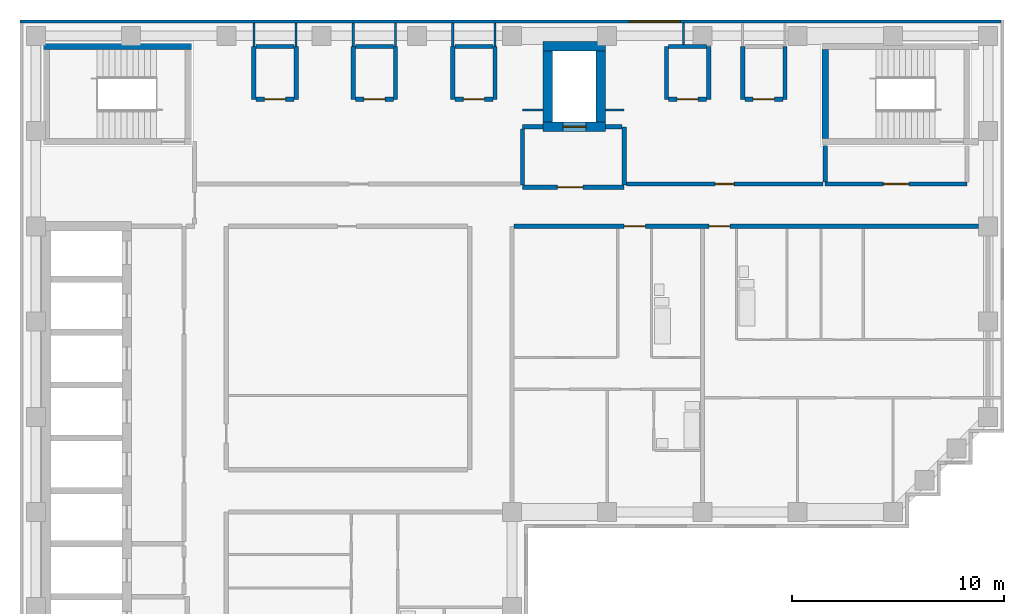
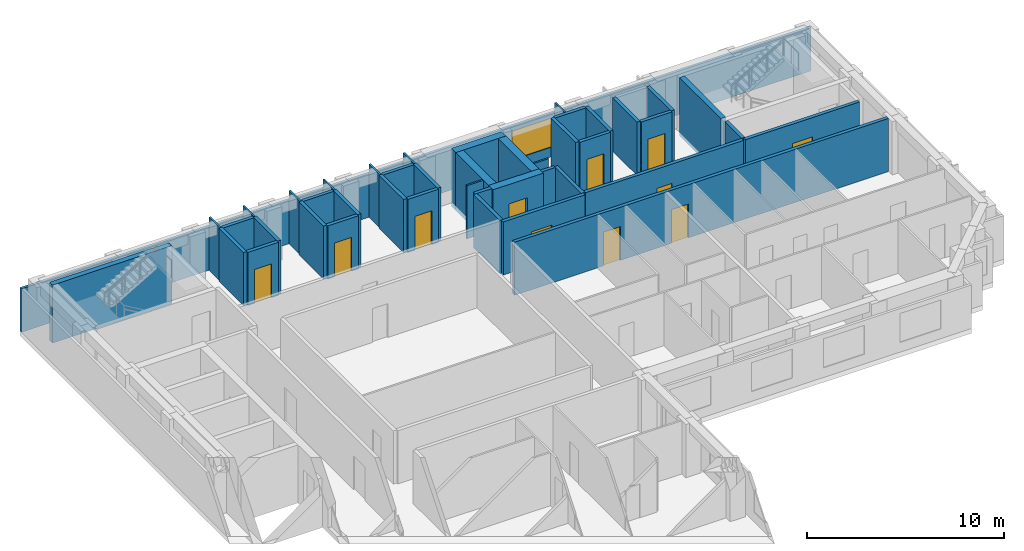
# One storey, part 5 of 8: 44 walls, 11 doors, 1 window, 12 openings.
"""IFC4 building model written with IfcOpenShell, lengths in metres."""

from ifc_helpers import new_model, si_unit, direction, frame, frame_2d, origin, place, context, subcontext, project, spatial, rectangle, extrude, material, layer, layer_set, type_object, element, fill, save


model = new_model("IFC4")

# Units and contexts
model_context = context("Model", 3, precision=1e-05, world=origin(), true_north=direction((0.0, 1.0)))
body_context = subcontext(model_context, "Body", "Model", "MODEL_VIEW")
ifc_project = project(units=[si_unit("LENGTHUNIT", "METRE"), si_unit("AREAUNIT", "SQUARE_METRE"), si_unit("VOLUMEUNIT", "CUBIC_METRE"), si_unit("PLANEANGLEUNIT", "RADIAN"), si_unit("MASSUNIT", "GRAM", prefix="KILO")], contexts=[model_context])

# Site, building, storey
site_placement = place(None, origin())
site = spatial("IfcSite", under=ifc_project, at=site_placement, CompositionType="ELEMENT")
building_placement = place(site_placement, origin())
building = spatial("IfcBuilding", under=site, at=building_placement, Name="Firuza Court", CompositionType="ELEMENT")
storey_placement = place(building_placement, frame((0.0, 0.0, 236.60009765625)))
storey = spatial("IfcBuildingStorey", under=building, at=storey_placement, Name="L61", CompositionType="ELEMENT", Elevation=236.60009765625)

# Walls
ifc_material_1 = material(Name="Concrete C50/60", Category="concrete")
ifc_layer_1 = layer(ifc_material_1, 0.300048828125)
ifc_layer_set_1 = layer_set([ifc_layer_1], Name="Concrete C50/60")
wall_type_1 = type_object("IfcWallType", Name="Core wall 300 C50/60", PredefinedType="SHEAR", material=ifc_layer_set_1)
wall_1_placement = place(storey_placement, frame((0.35009765625, 58.0, -0.300048828125), z_axis=(0.0, 0.0, 1.0), x_axis=(1.0, 0.0, 0.0)))
element("IfcWall", 1, at=wall_1_placement, inside=storey, type_object=wall_type_1, Name="Core wall stair L61", PredefinedType="SHEAR", context=body_context, shape_type="SweptSolid", body=[
    extrude(rectangle(XDim=7.0, YDim=0.300048828125, at=frame_2d((3.5, 0.0))), origin(), (0.0, 0.0, 1.0), 3.599853515625),
])
wall_2_placement = place(storey_placement, frame((37.300048828125, 53.64990234375, -0.300048828125), z_axis=(0.0, 0.0, 1.0), x_axis=(0.0, 1.0, 0.0)))
element("IfcWall", 2, at=wall_2_placement, inside=storey, type_object=wall_type_1, Name="Core wall stair L61", PredefinedType="SHEAR", context=body_context, shape_type="SweptSolid", body=[
    extrude(rectangle(XDim=4.2001953125, YDim=0.300048828125, at=frame_2d((2.10009765625, 0.0))), origin(), (0.0, 0.0, 1.0), 3.599853515625),
])

# Wall, opening, door
ifc_layer_2 = layer(ifc_material_1, 0.449951171875)
ifc_layer_set_2 = layer_set([ifc_layer_2], Name="Concrete C50/60")
wall_type_2 = type_object("IfcWallType", Name="Core wall 450 C50/60", PredefinedType="SHEAR", material=ifc_layer_set_2)
wall_3_placement = place(storey_placement, frame((23.97509765625, 54.199951171875, -0.300048828125), z_axis=(0.0, 0.0, 1.0), x_axis=(1.0, 0.0, 0.0)))
wall_3 = element("IfcWall", 3, at=wall_3_placement, inside=storey, type_object=wall_type_2, Name="Core wall lift shaft L61", PredefinedType="SHEAR", context=body_context, shape_type="SweptSolid", body=[
    extrude(rectangle(XDim=2.949951171875, YDim=0.449951171875, at=frame_2d((1.47509765625, 0.0))), origin(), (0.0, 0.0, 1.0), 3.599853515625),
])
opening_1_placement = place(wall_3_placement, frame((0.925048828125, 0.0, 0.300048828125)))
opening_1 = element("IfcOpeningElement", 4, at=opening_1_placement, cuts=wall_3, Name="Opening LD-FL3-61", PredefinedType="OPENING", context=body_context, shape_type="SweptSolid", body=[
    extrude(rectangle(XDim=1.10009765625, YDim=2.10009765625, at=frame_2d((0.550048828125, 1.050048828125))), frame((0.0, 0.23681640625, 0.0), z_axis=(0.0, -1.0, 0.0), x_axis=(1.0, 0.0, 0.0)), (0.0, 0.0, 1.0), 0.473876953125),
])
ifc_material_2 = material(Name="Stainless steel 1.4301 door leaf", Category="steel")
door_type_1 = type_object("IfcDoorType", Name="Lift landing door 1100", OperationType="SLIDING_TO_LEFT", PredefinedType="DOOR", material=ifc_material_2)
door_1_placement = place(opening_1_placement, origin())
door_1 = element("IfcDoor", 5, at=door_1_placement, inside=storey, type_object=door_type_1, Name="Landing door FL3", OperationType="SLIDING_TO_LEFT", OverallHeight=2.10009765625, OverallWidth=1.10009765625, PredefinedType="DOOR", context=body_context, shape_type="SweptSolid", body=[
    extrude(rectangle(XDim=1.10009765625, YDim=2.10009765625, at=frame_2d((0.550048828125, 1.050048828125))), frame((0.0, 0.02490234375, 0.0), z_axis=(0.0, -1.0, 0.0), x_axis=(1.0, 0.0, 0.0)), (0.0, 0.0, 1.0), 0.050048828125),
])
fill(opening_1, door_1)

# Walls
wall_4_placement = place(storey_placement, frame((23.97509765625, 58.0, -0.300048828125), z_axis=(0.0, 0.0, 1.0), x_axis=(1.0, 0.0, 0.0)))
element("IfcWall", 6, at=wall_4_placement, inside=storey, type_object=wall_type_2, Name="Core wall lift shaft L61", PredefinedType="SHEAR", context=body_context, shape_type="SweptSolid", body=[
    extrude(rectangle(XDim=2.949951171875, YDim=0.449951171875, at=frame_2d((1.47509765625, 0.0))), origin(), (0.0, 0.0, 1.0), 3.599853515625),
])
for number, where, z_axis, x_axis, name in (
    (7, (24.199951171875, 54.425048828125, -0.300048828125), (0.0, 0.0, 1.0), (0.0, 1.0, 0.0), "Core wall lift shaft L61"),
    (8, (26.699951171875, 54.425048828125, -0.300048828125), (0.0, 0.0, 1.0), (0.0, 1.0, 0.0), "Core wall lift shaft L61"),
):
    element("IfcWall", number, at=place(storey_placement, frame(where, z_axis=z_axis, x_axis=x_axis)), inside=storey, type_object=wall_type_2, Name=name, PredefinedType="SHEAR", context=body_context, shape_type="SweptSolid", body=[
        extrude(rectangle(XDim=3.349853515625, YDim=0.449951171875, at=frame_2d((1.6748046875, 0.0))), origin(), (0.0, 0.0, 1.0), 3.599853515625),
    ])

# Wall, openings, doors
ifc_material_3 = material(Name="Blockwork, plastered both sides", Category="masonry")
ifc_layer_3 = layer(ifc_material_3, 0.199951171875)
ifc_layer_set_3 = layer_set([ifc_layer_3], Name="Blockwork, plastered both sides")
wall_type_3 = type_object("IfcWallType", Name="Corridor wall 200", PredefinedType="PARTITIONING", material=ifc_layer_set_3)
wall_5_placement = place(storey_placement, frame((22.60009765625, 49.5, 0.0), z_axis=(0.0, 0.0, 1.0), x_axis=(1.0, 0.0, 0.0)))
wall_5 = element("IfcWall", 9, at=wall_5_placement, inside=storey, type_object=wall_type_3, Name="Corridor wall 200 L61", PredefinedType="PARTITIONING", context=body_context, shape_type="SweptSolid", body=[
    extrude(rectangle(XDim=21.949951171875, YDim=0.199951171875, at=frame_2d((10.97509765625, 0.0))), origin(), (0.0, 0.0, 1.0), 3.2998046875),
])
opening_2_placement = place(wall_5_placement, frame((5.199951171875, 0.0, 0.0)))
opening_2 = element("IfcOpeningElement", 10, at=opening_2_placement, cuts=wall_5, Name="Opening D61038", PredefinedType="OPENING", context=body_context, shape_type="SweptSolid", body=[
    extrude(rectangle(XDim=1.0, YDim=2.10009765625, at=frame_2d((0.5, 1.050048828125))), frame((0.0, 0.11181640625, 0.0), z_axis=(0.0, -1.0, 0.0), x_axis=(1.0, 0.0, 0.0)), (0.0, 0.0, 1.0), 0.223876953125),
])
opening_3_placement = place(wall_5_placement, frame((9.199951171875, 0.0, 0.0)))
opening_3 = element("IfcOpeningElement", 11, at=opening_3_placement, cuts=wall_5, Name="Opening D61039", PredefinedType="OPENING", context=body_context, shape_type="SweptSolid", body=[
    extrude(rectangle(XDim=1.0, YDim=2.10009765625, at=frame_2d((0.5, 1.050048828125))), frame((0.0, 0.11181640625, 0.0), z_axis=(0.0, -1.0, 0.0), x_axis=(1.0, 0.0, 0.0)), (0.0, 0.0, 1.0), 0.223876953125),
])
ifc_material_4 = material(Name="Timber door leaf in hardwood frame", Category="wood")
door_type_2 = type_object("IfcDoorType", Name="Flat entrance door 1000", OperationType="SINGLE_SWING_LEFT", PredefinedType="DOOR", material=ifc_material_4)
door_2_placement = place(opening_2_placement, origin())
door_2 = element("IfcDoor", 12, at=door_2_placement, inside=storey, type_object=door_type_2, Name="Flat entrance door", OperationType="SINGLE_SWING_LEFT", OverallHeight=2.10009765625, OverallWidth=1.0, PredefinedType="DOOR", context=body_context, shape_type="SweptSolid", body=[
    extrude(rectangle(XDim=1.0, YDim=2.10009765625, at=frame_2d((0.5, 1.050048828125))), frame((0.0, 0.02490234375, 0.0), z_axis=(0.0, -1.0, 0.0), x_axis=(1.0, 0.0, 0.0)), (0.0, 0.0, 1.0), 0.050048828125),
])
fill(opening_2, door_2)
door_3_placement = place(opening_3_placement, origin())
door_3 = element("IfcDoor", 13, at=door_3_placement, inside=storey, type_object=door_type_2, Name="Flat entrance door", OperationType="SINGLE_SWING_LEFT", OverallHeight=2.10009765625, OverallWidth=1.0, PredefinedType="DOOR", context=body_context, shape_type="SweptSolid", body=[
    extrude(rectangle(XDim=1.0, YDim=2.10009765625, at=frame_2d((0.5, 1.050048828125))), frame((0.0, 0.02490234375, 0.0), z_axis=(0.0, -1.0, 0.0), x_axis=(1.0, 0.0, 0.0)), (0.0, 0.0, 1.0), 0.050048828125),
])
fill(opening_3, door_3)

# Wall, opening, door
wall_6_placement = place(storey_placement, frame((27.89990234375, 51.5, 0.0), z_axis=(0.0, 0.0, 1.0), x_axis=(1.0, 0.0, 0.0)))
wall_6 = element("IfcWall", 14, at=wall_6_placement, inside=storey, type_object=wall_type_3, Name="Corridor wall 200 L61", PredefinedType="PARTITIONING", context=body_context, shape_type="SweptSolid", body=[
    extrude(rectangle(XDim=9.300048828125, YDim=0.199951171875, at=frame_2d((4.64990234375, 0.0))), origin(), (0.0, 0.0, 1.0), 3.2998046875),
])
opening_4_placement = place(wall_6_placement, frame((4.199951171875, 0.0, 0.0)))
opening_4 = element("IfcOpeningElement", 15, at=opening_4_placement, cuts=wall_6, Name="Opening D61041", PredefinedType="OPENING", context=body_context, shape_type="SweptSolid", body=[
    extrude(rectangle(XDim=0.89990234375, YDim=2.10009765625, at=frame_2d((0.449951171875, 1.050048828125))), frame((0.0, 0.11181640625, 0.0), z_axis=(0.0, -1.0, 0.0), x_axis=(1.0, 0.0, 0.0)), (0.0, 0.0, 1.0), 0.223876953125),
])
ifc_material_5 = material(Name="Timber door leaf in hardwood frame", Category="wood")
door_type_3 = type_object("IfcDoorType", Name="Room door 900 EI 30", OperationType="SINGLE_SWING_LEFT", PredefinedType="DOOR", material=ifc_material_5)
door_4_placement = place(opening_4_placement, origin())
door_4 = element("IfcDoor", 16, at=door_4_placement, inside=storey, type_object=door_type_3, Name="Meeting room door", OperationType="SINGLE_SWING_LEFT", OverallHeight=2.10009765625, OverallWidth=0.89990234375, PredefinedType="DOOR", context=body_context, shape_type="SweptSolid", body=[
    extrude(rectangle(XDim=0.89990234375, YDim=2.10009765625, at=frame_2d((0.449951171875, 1.050048828125))), frame((0.0, 0.02490234375, 0.0), z_axis=(0.0, -1.0, 0.0), x_axis=(1.0, 0.0, 0.0)), (0.0, 0.0, 1.0), 0.050048828125),
])
fill(opening_4, door_4)

# Walls
ifc_material_6 = material(Name="Timber stud partition, plasterboard both sides", Category="wood")
ifc_layer_4 = layer(ifc_material_6, 0.10009765625)
ifc_layer_set_4 = layer_set([ifc_layer_4], Name="Timber stud partition, plasterboard both sides")
wall_type_4 = type_object("IfcWallType", Name="Partition wall 100", PredefinedType="PARTITIONING", material=ifc_layer_set_4)
wall_7_placement = place(storey_placement, frame((23.0, 55.0, 0.0), z_axis=(0.0, 0.0, 1.0), x_axis=(1.0, 0.0, 0.0)))
element("IfcWall", 17, at=wall_7_placement, inside=storey, type_object=wall_type_4, Name="Partition wall 100 L61", PredefinedType="PARTITIONING", context=body_context, shape_type="SweptSolid", body=[
    extrude(rectangle(XDim=0.97509765625, YDim=0.10009765625, at=frame_2d((0.487548828125, 0.0))), origin(), (0.0, 0.0, 1.0), 3.2998046875),
])
wall_8_placement = place(storey_placement, frame((26.925048828125, 55.0, 0.0), z_axis=(0.0, 0.0, 1.0), x_axis=(1.0, 0.0, 0.0)))
element("IfcWall", 18, at=wall_8_placement, inside=storey, type_object=wall_type_4, Name="Partition wall 100 L61", PredefinedType="PARTITIONING", context=body_context, shape_type="SweptSolid", body=[
    extrude(rectangle(XDim=0.875, YDim=0.10009765625, at=frame_2d((0.4375, 0.0))), origin(), (0.0, 0.0, 1.0), 3.2998046875),
])
for number, where, z_axis, x_axis, name in (
    (19, (10.300048828125, 58.0, 0.0), (0.0, 0.0, 1.0), (0.0, 1.0, 0.0), "Partition wall 100 L61"),
    (20, (12.300048828125, 58.0, 0.0), (0.0, 0.0, 1.0), (0.0, 1.0, 0.0), "Partition wall 100 L61"),
    (21, (15.0, 58.0, 0.0), (0.0, 0.0, 1.0), (0.0, 1.0, 0.0), "Partition wall 100 L61"),
    (22, (17.0, 58.0, 0.0), (0.0, 0.0, 1.0), (0.0, 1.0, 0.0), "Partition wall 100 L61"),
    (23, (19.699951171875, 58.0, 0.0), (0.0, 0.0, 1.0), (0.0, 1.0, 0.0), "Partition wall 100 L61"),
    (24, (21.699951171875, 58.0, 0.0), (0.0, 0.0, 1.0), (0.0, 1.0, 0.0), "Partition wall 100 L61"),
):
    element("IfcWall", number, at=place(storey_placement, frame(where, z_axis=z_axis, x_axis=x_axis)), inside=storey, type_object=wall_type_4, Name=name, PredefinedType="PARTITIONING", context=body_context, shape_type="SweptSolid", body=[
        extrude(rectangle(XDim=1.10009765625, YDim=0.10009765625, at=frame_2d((0.550048828125, 0.0))), origin(), (0.0, 0.0, 1.0), 3.2998046875),
    ])
wall_9_placement = place(storey_placement, frame((30.60009765625, 58.10009765625, 0.0), z_axis=(0.0, 0.0, 1.0), x_axis=(0.0, 1.0, 0.0)))
element("IfcWall", 25, at=wall_9_placement, inside=storey, type_object=wall_type_4, Name="Partition wall 100 L61", PredefinedType="PARTITIONING", context=body_context, shape_type="SweptSolid", body=[
    extrude(rectangle(XDim=1.0, YDim=0.10009765625, at=frame_2d((0.5, 0.0))), origin(), (0.0, 0.0, 1.0), 3.2998046875),
])
ifc_material_7 = material(Name="Blockwork, fire-rated", Category="masonry")
ifc_layer_5 = layer(ifc_material_7, 0.199951171875)
ifc_layer_set_5 = layer_set([ifc_layer_5], Name="Blockwork, fire-rated")
wall_type_5 = type_object("IfcWallType", Name="Plant room wall 200", PredefinedType="PARTITIONING", material=ifc_layer_set_5)
wall_10_placement = place(storey_placement, frame((10.300048828125, 55.5, 0.0), z_axis=(0.0, 0.0, 1.0), x_axis=(0.0, 1.0, 0.0)))
element("IfcWall", 26, at=wall_10_placement, inside=storey, type_object=wall_type_5, Name="Plant room wall 200 L61", PredefinedType="PARTITIONING", context=body_context, shape_type="SweptSolid", body=[
    extrude(rectangle(XDim=2.5, YDim=0.199951171875, at=frame_2d((1.25, 0.0))), origin(), (0.0, 0.0, 1.0), 3.2998046875),
])

# Wall, opening, door
wall_11_placement = place(storey_placement, frame((10.39990234375, 55.5, 0.0), z_axis=(0.0, 0.0, 1.0), x_axis=(1.0, 0.0, 0.0)))
wall_11 = element("IfcWall", 27, at=wall_11_placement, inside=storey, type_object=wall_type_5, Name="Plant room wall 200 L61", PredefinedType="PARTITIONING", context=body_context, shape_type="SweptSolid", body=[
    extrude(rectangle(XDim=1.800048828125, YDim=0.199951171875, at=frame_2d((0.89990234375, 0.0))), origin(), (0.0, 0.0, 1.0), 3.2998046875),
])
opening_5_placement = place(wall_11_placement, frame((0.39990234375, 0.0, 0.0)))
opening_5 = element("IfcOpeningElement", 28, at=opening_5_placement, cuts=wall_11, Name="Opening D61042", PredefinedType="OPENING", context=body_context, shape_type="SweptSolid", body=[
    extrude(rectangle(XDim=1.0, YDim=2.10009765625, at=frame_2d((0.5, 1.050048828125))), frame((0.0, 0.11181640625, 0.0), z_axis=(0.0, -1.0, 0.0), x_axis=(1.0, 0.0, 0.0)), (0.0, 0.0, 1.0), 0.223876953125),
])
ifc_material_8 = material(Name="Timber door leaf in hardwood frame", Category="wood")
door_type_4 = type_object("IfcDoorType", Name="Riser door 1000", OperationType="SINGLE_SWING_LEFT", PredefinedType="DOOR", material=ifc_material_8)
door_5_placement = place(opening_5_placement, origin())
door_5 = element("IfcDoor", 29, at=door_5_placement, inside=storey, type_object=door_type_4, Name="Comms riser door", OperationType="SINGLE_SWING_LEFT", OverallHeight=2.10009765625, OverallWidth=1.0, PredefinedType="DOOR", context=body_context, shape_type="SweptSolid", body=[
    extrude(rectangle(XDim=1.0, YDim=2.10009765625, at=frame_2d((0.5, 1.050048828125))), frame((0.0, 0.02490234375, 0.0), z_axis=(0.0, -1.0, 0.0), x_axis=(1.0, 0.0, 0.0)), (0.0, 0.0, 1.0), 0.050048828125),
])
fill(opening_5, door_5)

# Walls
for number, where, z_axis, x_axis, name in (
    (30, (12.300048828125, 55.5, 0.0), (0.0, 0.0, 1.0), (0.0, 1.0, 0.0), "Plant room wall 200 L61"),
    (31, (15.0, 55.5, 0.0), (0.0, 0.0, 1.0), (0.0, 1.0, 0.0), "Plant room wall 200 L61"),
):
    element("IfcWall", number, at=place(storey_placement, frame(where, z_axis=z_axis, x_axis=x_axis)), inside=storey, type_object=wall_type_5, Name=name, PredefinedType="PARTITIONING", context=body_context, shape_type="SweptSolid", body=[
        extrude(rectangle(XDim=2.5, YDim=0.199951171875, at=frame_2d((1.25, 0.0))), origin(), (0.0, 0.0, 1.0), 3.2998046875),
    ])

# Wall, opening, door
wall_12_placement = place(storey_placement, frame((15.10009765625, 55.5, 0.0), z_axis=(0.0, 0.0, 1.0), x_axis=(1.0, 0.0, 0.0)))
wall_12 = element("IfcWall", 32, at=wall_12_placement, inside=storey, type_object=wall_type_5, Name="Plant room wall 200 L61", PredefinedType="PARTITIONING", context=body_context, shape_type="SweptSolid", body=[
    extrude(rectangle(XDim=1.7998046875, YDim=0.199951171875, at=frame_2d((0.89990234375, 0.0))), origin(), (0.0, 0.0, 1.0), 3.2998046875),
])
opening_6_placement = place(wall_12_placement, frame((0.39990234375, 0.0, 0.0)))
opening_6 = element("IfcOpeningElement", 33, at=opening_6_placement, cuts=wall_12, Name="Opening D61043", PredefinedType="OPENING", context=body_context, shape_type="SweptSolid", body=[
    extrude(rectangle(XDim=1.0, YDim=2.10009765625, at=frame_2d((0.5, 1.050048828125))), frame((0.0, 0.11181640625, 0.0), z_axis=(0.0, -1.0, 0.0), x_axis=(1.0, 0.0, 0.0)), (0.0, 0.0, 1.0), 0.223876953125),
])
door_6_placement = place(opening_6_placement, origin())
door_6 = element("IfcDoor", 34, at=door_6_placement, inside=storey, type_object=door_type_4, Name="Electrical riser door", OperationType="SINGLE_SWING_LEFT", OverallHeight=2.10009765625, OverallWidth=1.0, PredefinedType="DOOR", context=body_context, shape_type="SweptSolid", body=[
    extrude(rectangle(XDim=1.0, YDim=2.10009765625, at=frame_2d((0.5, 1.050048828125))), frame((0.0, 0.02490234375, 0.0), z_axis=(0.0, -1.0, 0.0), x_axis=(1.0, 0.0, 0.0)), (0.0, 0.0, 1.0), 0.050048828125),
])
fill(opening_6, door_6)

# Walls
for number, where, z_axis, x_axis, name in (
    (35, (17.0, 55.5, 0.0), (0.0, 0.0, 1.0), (0.0, 1.0, 0.0), "Plant room wall 200 L61"),
    (36, (19.699951171875, 55.5, 0.0), (0.0, 0.0, 1.0), (0.0, 1.0, 0.0), "Plant room wall 200 L61"),
):
    element("IfcWall", number, at=place(storey_placement, frame(where, z_axis=z_axis, x_axis=x_axis)), inside=storey, type_object=wall_type_5, Name=name, PredefinedType="PARTITIONING", context=body_context, shape_type="SweptSolid", body=[
        extrude(rectangle(XDim=2.5, YDim=0.199951171875, at=frame_2d((1.25, 0.0))), origin(), (0.0, 0.0, 1.0), 3.2998046875),
    ])

# Wall, opening, door
wall_13_placement = place(storey_placement, frame((19.800048828125, 55.5, 0.0), z_axis=(0.0, 0.0, 1.0), x_axis=(1.0, 0.0, 0.0)))
wall_13 = element("IfcWall", 37, at=wall_13_placement, inside=storey, type_object=wall_type_5, Name="Plant room wall 200 L61", PredefinedType="PARTITIONING", context=body_context, shape_type="SweptSolid", body=[
    extrude(rectangle(XDim=1.800048828125, YDim=0.199951171875, at=frame_2d((0.89990234375, 0.0))), origin(), (0.0, 0.0, 1.0), 3.2998046875),
])
opening_7_placement = place(wall_13_placement, frame((0.39990234375, 0.0, 0.0)))
opening_7 = element("IfcOpeningElement", 38, at=opening_7_placement, cuts=wall_13, Name="Opening D61044", PredefinedType="OPENING", context=body_context, shape_type="SweptSolid", body=[
    extrude(rectangle(XDim=1.0, YDim=2.10009765625, at=frame_2d((0.5, 1.050048828125))), frame((0.0, 0.11181640625, 0.0), z_axis=(0.0, -1.0, 0.0), x_axis=(1.0, 0.0, 0.0)), (0.0, 0.0, 1.0), 0.223876953125),
])
door_7_placement = place(opening_7_placement, origin())
door_7 = element("IfcDoor", 39, at=door_7_placement, inside=storey, type_object=door_type_4, Name="Duct riser door", OperationType="SINGLE_SWING_LEFT", OverallHeight=2.10009765625, OverallWidth=1.0, PredefinedType="DOOR", context=body_context, shape_type="SweptSolid", body=[
    extrude(rectangle(XDim=1.0, YDim=2.10009765625, at=frame_2d((0.5, 1.050048828125))), frame((0.0, 0.02490234375, 0.0), z_axis=(0.0, -1.0, 0.0), x_axis=(1.0, 0.0, 0.0)), (0.0, 0.0, 1.0), 0.050048828125),
])
fill(opening_7, door_7)

# Walls
for number, where, z_axis, x_axis, name in (
    (40, (21.699951171875, 55.5, 0.0), (0.0, 0.0, 1.0), (0.0, 1.0, 0.0), "Plant room wall 200 L61"),
    (41, (29.800048828125, 55.5, 0.0), (0.0, 0.0, 1.0), (0.0, 1.0, 0.0), "Plant room wall 200 L61"),
):
    element("IfcWall", number, at=place(storey_placement, frame(where, z_axis=z_axis, x_axis=x_axis)), inside=storey, type_object=wall_type_5, Name=name, PredefinedType="PARTITIONING", context=body_context, shape_type="SweptSolid", body=[
        extrude(rectangle(XDim=2.5, YDim=0.199951171875, at=frame_2d((1.25, 0.0))), origin(), (0.0, 0.0, 1.0), 3.2998046875),
    ])

# Wall, opening, door
wall_14_placement = place(storey_placement, frame((29.89990234375, 55.5, 0.0), z_axis=(0.0, 0.0, 1.0), x_axis=(1.0, 0.0, 0.0)))
wall_14 = element("IfcWall", 42, at=wall_14_placement, inside=storey, type_object=wall_type_5, Name="Plant room wall 200 L61", PredefinedType="PARTITIONING", context=body_context, shape_type="SweptSolid", body=[
    extrude(rectangle(XDim=1.800048828125, YDim=0.199951171875, at=frame_2d((0.89990234375, 0.0))), origin(), (0.0, 0.0, 1.0), 3.2998046875),
])
opening_8_placement = place(wall_14_placement, frame((0.39990234375, 0.0, 0.0)))
opening_8 = element("IfcOpeningElement", 43, at=opening_8_placement, cuts=wall_14, Name="Opening D61045", PredefinedType="OPENING", context=body_context, shape_type="SweptSolid", body=[
    extrude(rectangle(XDim=1.0, YDim=2.10009765625, at=frame_2d((0.5, 1.050048828125))), frame((0.0, 0.11181640625, 0.0), z_axis=(0.0, -1.0, 0.0), x_axis=(1.0, 0.0, 0.0)), (0.0, 0.0, 1.0), 0.223876953125),
])
door_8_placement = place(opening_8_placement, origin())
door_8 = element("IfcDoor", 44, at=door_8_placement, inside=storey, type_object=door_type_4, Name="Electrical riser door", OperationType="SINGLE_SWING_LEFT", OverallHeight=2.10009765625, OverallWidth=1.0, PredefinedType="DOOR", context=body_context, shape_type="SweptSolid", body=[
    extrude(rectangle(XDim=1.0, YDim=2.10009765625, at=frame_2d((0.5, 1.050048828125))), frame((0.0, 0.02490234375, 0.0), z_axis=(0.0, -1.0, 0.0), x_axis=(1.0, 0.0, 0.0)), (0.0, 0.0, 1.0), 0.050048828125),
])
fill(opening_8, door_8)

# Walls
for number, where, z_axis, x_axis, name in (
    (45, (31.800048828125, 55.5, 0.0), (0.0, 0.0, 1.0), (0.0, 1.0, 0.0), "Plant room wall 200 L61"),
    (46, (33.39990234375, 55.5, 0.0), (0.0, 0.0, 1.0), (0.0, 1.0, 0.0), "Plant room wall 200 L61"),
):
    element("IfcWall", number, at=place(storey_placement, frame(where, z_axis=z_axis, x_axis=x_axis)), inside=storey, type_object=wall_type_5, Name=name, PredefinedType="PARTITIONING", context=body_context, shape_type="SweptSolid", body=[
        extrude(rectangle(XDim=2.5, YDim=0.199951171875, at=frame_2d((1.25, 0.0))), origin(), (0.0, 0.0, 1.0), 3.2998046875),
    ])

# Wall, opening, door
wall_15_placement = place(storey_placement, frame((33.5, 55.5, 0.0), z_axis=(0.0, 0.0, 1.0), x_axis=(1.0, 0.0, 0.0)))
wall_15 = element("IfcWall", 47, at=wall_15_placement, inside=storey, type_object=wall_type_5, Name="Plant room wall 200 L61", PredefinedType="PARTITIONING", context=body_context, shape_type="SweptSolid", body=[
    extrude(rectangle(XDim=1.800048828125, YDim=0.199951171875, at=frame_2d((0.89990234375, 0.0))), origin(), (0.0, 0.0, 1.0), 3.2998046875),
])
opening_9_placement = place(wall_15_placement, frame((0.39990234375, 0.0, 0.0)))
opening_9 = element("IfcOpeningElement", 48, at=opening_9_placement, cuts=wall_15, Name="Opening D61046", PredefinedType="OPENING", context=body_context, shape_type="SweptSolid", body=[
    extrude(rectangle(XDim=1.0, YDim=2.10009765625, at=frame_2d((0.5, 1.050048828125))), frame((0.0, 0.11181640625, 0.0), z_axis=(0.0, -1.0, 0.0), x_axis=(1.0, 0.0, 0.0)), (0.0, 0.0, 1.0), 0.223876953125),
])
door_9_placement = place(opening_9_placement, origin())
door_9 = element("IfcDoor", 49, at=door_9_placement, inside=storey, type_object=door_type_4, Name="Duct riser door", OperationType="SINGLE_SWING_LEFT", OverallHeight=2.10009765625, OverallWidth=1.0, PredefinedType="DOOR", context=body_context, shape_type="SweptSolid", body=[
    extrude(rectangle(XDim=1.0, YDim=2.10009765625, at=frame_2d((0.5, 1.050048828125))), frame((0.0, 0.02490234375, 0.0), z_axis=(0.0, -1.0, 0.0), x_axis=(1.0, 0.0, 0.0)), (0.0, 0.0, 1.0), 0.050048828125),
])
fill(opening_9, door_9)

# Walls
wall_16_placement = place(storey_placement, frame((35.39990234375, 55.5, 0.0), z_axis=(0.0, 0.0, 1.0), x_axis=(0.0, 1.0, 0.0)))
element("IfcWall", 50, at=wall_16_placement, inside=storey, type_object=wall_type_5, Name="Plant room wall 200 L61", PredefinedType="PARTITIONING", context=body_context, shape_type="SweptSolid", body=[
    extrude(rectangle(XDim=2.5, YDim=0.199951171875, at=frame_2d((1.25, 0.0))), origin(), (0.0, 0.0, 1.0), 3.2998046875),
])
wall_17_placement = place(storey_placement, frame((10.39990234375, 58.0, 0.0), z_axis=(0.0, 0.0, 1.0), x_axis=(1.0, 0.0, 0.0)))
element("IfcWall", 51, at=wall_17_placement, inside=storey, type_object=wall_type_5, Name="Plant room wall 200 L61", PredefinedType="PARTITIONING", context=body_context, shape_type="SweptSolid", body=[
    extrude(rectangle(XDim=1.800048828125, YDim=0.199951171875, at=frame_2d((0.89990234375, 0.0))), origin(), (0.0, 0.0, 1.0), 3.2998046875),
])
wall_18_placement = place(storey_placement, frame((15.10009765625, 58.0, 0.0), z_axis=(0.0, 0.0, 1.0), x_axis=(1.0, 0.0, 0.0)))
element("IfcWall", 52, at=wall_18_placement, inside=storey, type_object=wall_type_5, Name="Plant room wall 200 L61", PredefinedType="PARTITIONING", context=body_context, shape_type="SweptSolid", body=[
    extrude(rectangle(XDim=1.7998046875, YDim=0.199951171875, at=frame_2d((0.89990234375, 0.0))), origin(), (0.0, 0.0, 1.0), 3.2998046875),
])
for number, where, z_axis, x_axis, name in (
    (53, (19.800048828125, 58.0, 0.0), (0.0, 0.0, 1.0), (1.0, 0.0, 0.0), "Plant room wall 200 L61"),
    (54, (29.89990234375, 58.0, 0.0), (0.0, 0.0, 1.0), (1.0, 0.0, 0.0), "Plant room wall 200 L61"),
):
    element("IfcWall", number, at=place(storey_placement, frame(where, z_axis=z_axis, x_axis=x_axis)), inside=storey, type_object=wall_type_5, Name=name, PredefinedType="PARTITIONING", context=body_context, shape_type="SweptSolid", body=[
        extrude(rectangle(XDim=1.800048828125, YDim=0.199951171875, at=frame_2d((0.89990234375, 0.0))), origin(), (0.0, 0.0, 1.0), 3.2998046875),
    ])

# Wall, opening, window
ifc_material_9 = material(Name="Ceramic tile", Category="ceramic")
ifc_layer_6 = layer(ifc_material_9, 0.02001953125)
ifc_material_10 = material(Name="Mineral wool insulation", Category="insulation")
ifc_layer_7 = layer(ifc_material_10, 0.050048828125)
ifc_material_11 = material(Name="Concrete C40/50 precast", Category="concrete")
ifc_layer_8 = layer(ifc_material_11, 0.080078125)
ifc_layer_set_6 = layer_set([ifc_layer_6, ifc_layer_7, ifc_layer_8], Name="Concrete C40/50 precast")
wall_type_6 = type_object("IfcWallType", Name="Precast cladding wall with turquoise TILE PANEL face 150", PredefinedType="STANDARD", material=ifc_layer_set_6)
wall_19_placement = place(storey_placement, frame((45.60009765625, 59.175048828125, 0.0), z_axis=(0.0, 0.0, 1.0), x_axis=(-1.0, 0.0, 0.0)))
wall_19 = element("IfcWall", 55, at=wall_19_placement, inside=storey, type_object=wall_type_6, Name="Facade wall L61 N", PredefinedType="STANDARD", context=body_context, shape_type="SweptSolid", body=[
    extrude(rectangle(XDim=46.35009765625, YDim=0.14990234375, at=frame_2d((23.175048828125, 0.0))), origin(), (0.0, 0.0, 1.0), 2.699951171875),
])
opening_10_placement = place(wall_19_placement, frame((15.14990234375, 0.0, 0.60009765625)))
opening_10 = element("IfcOpeningElement", 56, at=opening_10_placement, cuts=wall_19, Name="Opening W1", PredefinedType="OPENING", context=body_context, shape_type="SweptSolid", body=[
    extrude(rectangle(XDim=2.39990234375, YDim=1.800048828125, at=frame_2d((1.199951171875, 0.89990234375))), frame((0.0, 0.0869140625, 0.0), z_axis=(0.0, -1.0, 0.0), x_axis=(1.0, 0.0, 0.0)), (0.0, 0.0, 1.0), 0.173828125),
])
ifc_material_12 = material(Name="Aluminium frame, triple clear glazing", Category="aluminium")
window_type = type_object("IfcWindowType", Name="Window W1 2400 x 1800", PartitioningType="SINGLE_PANEL", PredefinedType="WINDOW", material=ifc_material_12)
window_placement = place(opening_10_placement, origin())
window = element("IfcWindow", 57, at=window_placement, inside=storey, type_object=window_type, Name="Window L61", OverallHeight=1.800048828125, OverallWidth=2.39990234375, PartitioningType="SINGLE_PANEL", PredefinedType="WINDOW", context=body_context, shape_type="SweptSolid", body=[
    extrude(rectangle(XDim=2.39990234375, YDim=1.800048828125, at=frame_2d((1.199951171875, 0.89990234375))), frame((0.0, 0.030029296875, 0.0), z_axis=(0.0, -1.0, 0.0), x_axis=(1.0, 0.0, 0.0)), (0.0, 0.0, 1.0), 0.06005859375),
])
fill(opening_10, window)

# Wall, opening, door
ifc_layer_9 = layer(ifc_material_7, 0.199951171875)
ifc_layer_set_7 = layer_set([ifc_layer_9], Name="Blockwork, fire-rated")
wall_type_7 = type_object("IfcWallType", Name="Shaft wall 200", PredefinedType="PARTITIONING", material=ifc_layer_set_7)
wall_20_placement = place(storey_placement, frame((23.0, 51.35009765625, 0.0), z_axis=(0.0, 0.0, 1.0), x_axis=(1.0, 0.0, 0.0)))
wall_20 = element("IfcWall", 58, at=wall_20_placement, inside=storey, type_object=wall_type_7, Name="Shaft wall 200 L61", PredefinedType="PARTITIONING", context=body_context, shape_type="SweptSolid", body=[
    extrude(rectangle(XDim=4.800048828125, YDim=0.199951171875, at=frame_2d((2.39990234375, 0.0))), origin(), (0.0, 0.0, 1.0), 3.2998046875),
])
opening_11_placement = place(wall_20_placement, frame((1.64990234375, 0.0, 0.0)))
opening_11 = element("IfcOpeningElement", 59, at=opening_11_placement, cuts=wall_20, Name="Opening D61003", PredefinedType="OPENING", context=body_context, shape_type="SweptSolid", body=[
    extrude(rectangle(XDim=1.199951171875, YDim=2.10009765625, at=frame_2d((0.60009765625, 1.050048828125))), frame((0.0, 0.11181640625, 0.0), z_axis=(0.0, -1.0, 0.0), x_axis=(1.0, 0.0, 0.0)), (0.0, 0.0, 1.0), 0.223876953125),
])
ifc_material_13 = material(Name="Timber door leaf in hardwood frame", Category="wood")
door_type_5 = type_object("IfcDoorType", Name="Lobby door 1200", OperationType="SINGLE_SWING_LEFT", PredefinedType="DOOR", material=ifc_material_13)
door_10_placement = place(opening_11_placement, origin())
door_10 = element("IfcDoor", 60, at=door_10_placement, inside=storey, type_object=door_type_5, Name="Fire-fighting lobby door", OperationType="SINGLE_SWING_LEFT", OverallHeight=2.10009765625, OverallWidth=1.199951171875, PredefinedType="DOOR", context=body_context, shape_type="SweptSolid", body=[
    extrude(rectangle(XDim=1.199951171875, YDim=2.10009765625, at=frame_2d((0.60009765625, 1.050048828125))), frame((0.0, 0.02490234375, 0.0), z_axis=(0.0, -1.0, 0.0), x_axis=(1.0, 0.0, 0.0)), (0.0, 0.0, 1.0), 0.050048828125),
])
fill(opening_11, door_10)

# Walls
wall_21_placement = place(storey_placement, frame((27.800048828125, 51.449951171875, 0.0), z_axis=(0.0, 0.0, 1.0), x_axis=(0.0, 1.0, 0.0)))
element("IfcWall", 61, at=wall_21_placement, inside=storey, type_object=wall_type_7, Name="Shaft wall 200 L61", PredefinedType="PARTITIONING", context=body_context, shape_type="SweptSolid", body=[
    extrude(rectangle(XDim=2.75, YDim=0.199951171875, at=frame_2d((1.375, 0.0))), origin(), (0.0, 0.0, 1.0), 3.2998046875),
])
wall_22_placement = place(storey_placement, frame((23.0, 54.199951171875, 0.0), z_axis=(0.0, 0.0, 1.0), x_axis=(1.0, 0.0, 0.0)))
element("IfcWall", 62, at=wall_22_placement, inside=storey, type_object=wall_type_7, Name="Shaft wall 200 L61", PredefinedType="PARTITIONING", context=body_context, shape_type="SweptSolid", body=[
    extrude(rectangle(XDim=0.97509765625, YDim=0.199951171875, at=frame_2d((0.487548828125, 0.0))), origin(), (0.0, 0.0, 1.0), 3.2998046875),
])
wall_23_placement = place(storey_placement, frame((26.925048828125, 54.199951171875, 0.0), z_axis=(0.0, 0.0, 1.0), x_axis=(1.0, 0.0, 0.0)))
element("IfcWall", 63, at=wall_23_placement, inside=storey, type_object=wall_type_7, Name="Shaft wall 200 L61", PredefinedType="PARTITIONING", context=body_context, shape_type="SweptSolid", body=[
    extrude(rectangle(XDim=0.77490234375, YDim=0.199951171875, at=frame_2d((0.387451171875, 0.0))), origin(), (0.0, 0.0, 1.0), 3.2998046875),
])
wall_24_placement = place(storey_placement, frame((23.0, 51.449951171875, 0.0), z_axis=(0.0, 0.0, 1.0), x_axis=(0.0, 1.0, 0.0)))
element("IfcWall", 64, at=wall_24_placement, inside=storey, type_object=wall_type_7, Name="Shaft wall 200 L61", PredefinedType="PARTITIONING", context=body_context, shape_type="SweptSolid", body=[
    extrude(rectangle(XDim=2.650146484375, YDim=0.199951171875, at=frame_2d((1.3251953125, 0.0))), origin(), (0.0, 0.0, 1.0), 3.2998046875),
])

# Wall, opening, door
wall_25_placement = place(storey_placement, frame((37.300048828125, 51.5, 0.0), z_axis=(0.0, 0.0, 1.0), x_axis=(1.0, 0.0, 0.0)))
wall_25 = element("IfcWall", 65, at=wall_25_placement, inside=storey, type_object=wall_type_7, Name="Shaft wall 200 L61", PredefinedType="PARTITIONING", context=body_context, shape_type="SweptSolid", body=[
    extrude(rectangle(XDim=6.699951171875, YDim=0.199951171875, at=frame_2d((3.35009765625, 0.0))), origin(), (0.0, 0.0, 1.0), 3.2998046875),
])
opening_12_placement = place(wall_25_placement, frame((2.75, 0.0, 0.0)))
opening_12 = element("IfcOpeningElement", 66, at=opening_12_placement, cuts=wall_25, Name="Opening D61006", PredefinedType="OPENING", context=body_context, shape_type="SweptSolid", body=[
    extrude(rectangle(XDim=1.199951171875, YDim=2.10009765625, at=frame_2d((0.60009765625, 1.050048828125))), frame((0.0, 0.11181640625, 0.0), z_axis=(0.0, -1.0, 0.0), x_axis=(1.0, 0.0, 0.0)), (0.0, 0.0, 1.0), 0.223876953125),
])
door_11_placement = place(opening_12_placement, origin())
door_11 = element("IfcDoor", 67, at=door_11_placement, inside=storey, type_object=door_type_5, Name="Lobby door", OperationType="SINGLE_SWING_LEFT", OverallHeight=2.10009765625, OverallWidth=1.199951171875, PredefinedType="DOOR", context=body_context, shape_type="SweptSolid", body=[
    extrude(rectangle(XDim=1.199951171875, YDim=2.10009765625, at=frame_2d((0.60009765625, 1.050048828125))), frame((0.0, 0.02490234375, 0.0), z_axis=(0.0, -1.0, 0.0), x_axis=(1.0, 0.0, 0.0)), (0.0, 0.0, 1.0), 0.050048828125),
])
fill(opening_12, door_11)

# Wall
wall_26_placement = place(storey_placement, frame((37.300048828125, 51.60009765625, 0.0), z_axis=(0.0, 0.0, 1.0), x_axis=(0.0, 1.0, 0.0)))
element("IfcWall", 68, at=wall_26_placement, inside=storey, type_object=wall_type_7, Name="Shaft wall 200 L61", PredefinedType="PARTITIONING", context=body_context, shape_type="SweptSolid", body=[
    extrude(rectangle(XDim=1.72998046875, YDim=0.199951171875, at=frame_2d((0.864990234375, 0.0))), origin(), (0.0, 0.0, 1.0), 3.2998046875),
])

save(model, "model.ifc")
